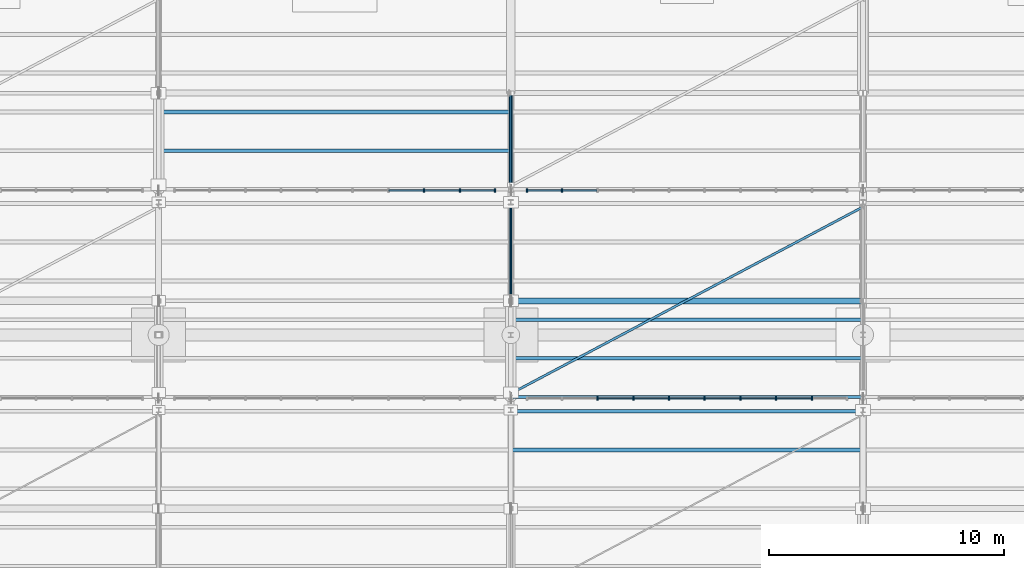
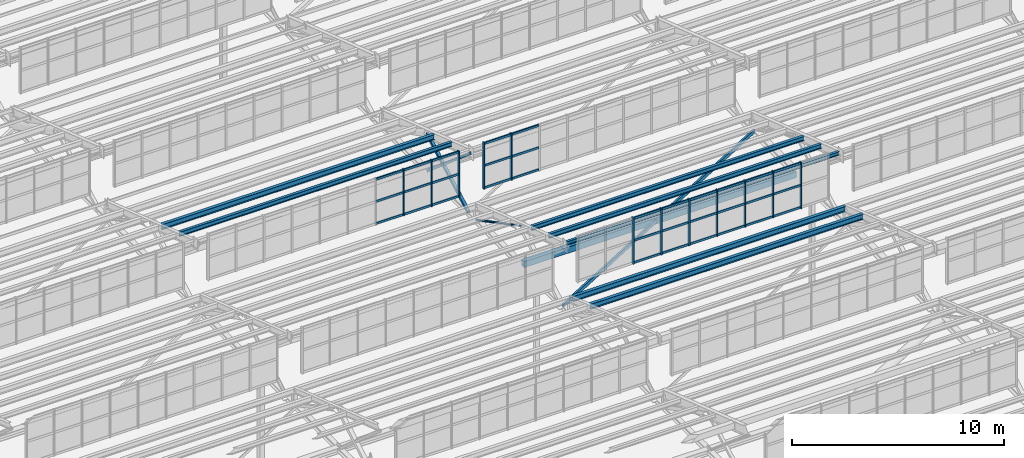
# One storey, part 59 of 285: 50 members, 7 beams, 3 elements without a shape of their own.
"""IFC4 building model written with IfcOpenShell, lengths in metres."""

from ifc_helpers import new_model, si_unit, direction, frame, origin, origin_2d, place, context, subcontext, project, spatial, rectangle, hollow_rectangle, hollow_circle, i_section, extrude, material, material_profile, profile_set, type_object, element, aggregate, save


model = new_model("IFC4")

# Units and contexts
model_context = context("Model", 3, precision=1e-05, world=origin(), true_north=direction((0.0, 1.0)))
body_context = subcontext(model_context, "Body", "Model", "MODEL_VIEW")
ifc_project = project(units=[si_unit("LENGTHUNIT", "METRE"), si_unit("AREAUNIT", "SQUARE_METRE"), si_unit("VOLUMEUNIT", "CUBIC_METRE"), si_unit("PLANEANGLEUNIT", "RADIAN"), si_unit("MASSUNIT", "GRAM", prefix="KILO")], contexts=[model_context])

# Site, building, storey
site_placement = place(None, origin())
site = spatial("IfcSite", under=ifc_project, at=site_placement, CompositionType="ELEMENT")
building_placement = place(site_placement, origin())
building = spatial("IfcBuilding", under=site, at=building_placement, Name="Solanera Park Tramway Depot", CompositionType="ELEMENT")
storey_placement = place(building_placement, origin())
storey = spatial("IfcBuildingStorey", under=building, at=storey_placement, Name="L00", CompositionType="ELEMENT", Elevation=0.0)

# Curtain wall, members
ifc_material_1 = material(Name="Bronze-anodised thermally broken aluminium curtain wall", Category="aluminium")
curtain_wall_type = type_object("IfcCurtainWallType", Name="Sawtooth Clerestory Monitor Curtain Wall", PredefinedType="NOTDEFINED", material=ifc_material_1)
curtain_wall_1_placement = place(storey_placement, origin())
curtain_wall_1 = element("IfcCurtainWall", 1, at=curtain_wall_1_placement, inside=storey, type_object=curtain_wall_type, Name="L00 Sawtooth Clerestory Monitor Curtain Wall #022", PredefinedType="NOTDEFINED")
ifc_material_2 = material(Name="Bronze-anodised structural aluminium 6063-T6", Category="aluminium")
ifc_material_profile_1 = material_profile(ifc_material_2, rectangle(XDim=0.06494140625, YDim=0.14990234375, at=origin_2d()), Name="Curtain Wall Mullion 65x150")
ifc_profile_set_1 = profile_set([ifc_material_profile_1], Name="Bronze-anodised structural aluminium 6063-T6")
member_type_1 = type_object("IfcMemberType", Name="Curtain Wall Mullion 65x150", PredefinedType="MULLION", material=ifc_profile_set_1)
member_1_placement = place(storey_placement, frame((48.6943359375, 82.300048828125, 7.75), z_axis=(0.0, 0.0, 1.0), x_axis=(1.0, 0.0, 0.0)))
member_1 = element("IfcMember", 2, at=member_1_placement, type_object=member_type_1, Name="CW-L00-022 Mullion 3", PredefinedType="MULLION", context=body_context, shape_type="SweptSolid", body=[
    extrude(rectangle(XDim=0.06494140625, YDim=0.14990234375, at=origin_2d()), origin(), (0.0, 0.0, 1.0), 2.6611328125),
])
member_2_placement = place(storey_placement, frame((50.216796875, 82.300048828125, 7.75), z_axis=(0.0, 0.0, 1.0), x_axis=(1.0, 0.0, 0.0)))
member_2 = element("IfcMember", 3, at=member_2_placement, type_object=member_type_1, Name="CW-L00-022 Mullion 4", PredefinedType="MULLION", context=body_context, shape_type="SweptSolid", body=[
    extrude(rectangle(XDim=0.06494140625, YDim=0.14990234375, at=origin_2d()), origin(), (0.0, 0.0, 1.0), 2.6611328125),
])
member_3_placement = place(storey_placement, frame((51.739013671875, 82.300048828125, 7.75), z_axis=(0.0, 0.0, 1.0), x_axis=(1.0, 0.0, 0.0)))
member_3 = element("IfcMember", 4, at=member_3_placement, type_object=member_type_1, Name="CW-L00-022 Mullion 5", PredefinedType="MULLION", context=body_context, shape_type="SweptSolid", body=[
    extrude(rectangle(XDim=0.06494140625, YDim=0.14990234375, at=origin_2d()), origin(), (0.0, 0.0, 1.0), 2.6611328125),
])
member_4_placement = place(storey_placement, frame((53.260986328125, 82.300048828125, 7.75), z_axis=(0.0, 0.0, 1.0), x_axis=(1.0, 0.0, 0.0)))
member_4 = element("IfcMember", 5, at=member_4_placement, type_object=member_type_1, Name="CW-L00-022 Mullion 6", PredefinedType="MULLION", context=body_context, shape_type="SweptSolid", body=[
    extrude(rectangle(XDim=0.06494140625, YDim=0.14990234375, at=origin_2d()), origin(), (0.0, 0.0, 1.0), 2.6611328125),
])
member_5_placement = place(storey_placement, frame((54.783203125, 82.300048828125, 7.75), z_axis=(0.0, 0.0, 1.0), x_axis=(1.0, 0.0, 0.0)))
member_5 = element("IfcMember", 6, at=member_5_placement, type_object=member_type_1, Name="CW-L00-022 Mullion 7", PredefinedType="MULLION", context=body_context, shape_type="SweptSolid", body=[
    extrude(rectangle(XDim=0.06494140625, YDim=0.14990234375, at=origin_2d()), origin(), (0.0, 0.0, 1.0), 2.6611328125),
])
member_6_placement = place(storey_placement, frame((56.3056640625, 82.300048828125, 7.75), z_axis=(0.0, 0.0, 1.0), x_axis=(1.0, 0.0, 0.0)))
member_6 = element("IfcMember", 7, at=member_6_placement, type_object=member_type_1, Name="CW-L00-022 Mullion 8", PredefinedType="MULLION", context=body_context, shape_type="SweptSolid", body=[
    extrude(rectangle(XDim=0.06494140625, YDim=0.14990234375, at=origin_2d()), origin(), (0.0, 0.0, 1.0), 2.6611328125),
])
member_7_placement = place(storey_placement, frame((57.827880859375, 82.300048828125, 7.75), z_axis=(0.0, 0.0, 1.0), x_axis=(1.0, 0.0, 0.0)))
member_7 = element("IfcMember", 8, at=member_7_placement, type_object=member_type_1, Name="CW-L00-022 Mullion 9", PredefinedType="MULLION", context=body_context, shape_type="SweptSolid", body=[
    extrude(rectangle(XDim=0.06494140625, YDim=0.14990234375, at=origin_2d()), origin(), (0.0, 0.0, 1.0), 2.6611328125),
])

curtain_wall_2_placement = place(storey_placement, origin())
curtain_wall_2 = element("IfcCurtainWall", 9, at=curtain_wall_2_placement, inside=storey, type_object=curtain_wall_type, Name="L00 Sawtooth Clerestory Monitor Curtain Wall #029", PredefinedType="NOTDEFINED")
member_8_placement = place(storey_placement, frame((41.3056640625, 91.14990234375, 7.75), z_axis=(0.0, 0.0, 1.0), x_axis=(1.0, 0.0, 0.0)))
member_8 = element("IfcMember", 10, at=member_8_placement, type_object=member_type_1, Name="CW-L00-029 Mullion 8", PredefinedType="MULLION", context=body_context, shape_type="SweptSolid", body=[
    extrude(rectangle(XDim=0.06494140625, YDim=0.14990234375, at=origin_2d()), origin(), (0.0, 0.0, 1.0), 2.6611328125),
])
member_9_placement = place(storey_placement, frame((42.827880859375, 91.14990234375, 7.75), z_axis=(0.0, 0.0, 1.0), x_axis=(1.0, 0.0, 0.0)))
member_9 = element("IfcMember", 11, at=member_9_placement, type_object=member_type_1, Name="CW-L00-029 Mullion 9", PredefinedType="MULLION", context=body_context, shape_type="SweptSolid", body=[
    extrude(rectangle(XDim=0.06494140625, YDim=0.14990234375, at=origin_2d()), origin(), (0.0, 0.0, 1.0), 2.6611328125),
])
member_10_placement = place(storey_placement, frame((44.3173828125, 91.14990234375, 7.75), z_axis=(0.0, 0.0, 1.0), x_axis=(1.0, 0.0, 0.0)))
member_10 = element("IfcMember", 12, at=member_10_placement, type_object=member_type_1, Name="CW-L00-029 Mullion 10", PredefinedType="MULLION", context=body_context, shape_type="SweptSolid", body=[
    extrude(rectangle(XDim=0.06494140625, YDim=0.14990234375, at=origin_2d()), origin(), (0.0, 0.0, 1.0), 2.6611328125),
])

curtain_wall_3_placement = place(storey_placement, origin())
curtain_wall_3 = element("IfcCurtainWall", 13, at=curtain_wall_3_placement, inside=storey, type_object=curtain_wall_type, Name="L00 Sawtooth Clerestory Monitor Curtain Wall #030", PredefinedType="NOTDEFINED")
member_11_placement = place(storey_placement, frame((45.6826171875, 91.14990234375, 7.75), z_axis=(0.0, 0.0, 1.0), x_axis=(1.0, 0.0, 0.0)))
member_11 = element("IfcMember", 14, at=member_11_placement, type_object=member_type_1, Name="CW-L00-030 Mullion 1", PredefinedType="MULLION", context=body_context, shape_type="SweptSolid", body=[
    extrude(rectangle(XDim=0.06494140625, YDim=0.14990234375, at=origin_2d()), origin(), (0.0, 0.0, 1.0), 2.6611328125),
])
member_12_placement = place(storey_placement, frame((47.172119140625, 91.14990234375, 7.75), z_axis=(0.0, 0.0, 1.0), x_axis=(1.0, 0.0, 0.0)))
member_12 = element("IfcMember", 15, at=member_12_placement, type_object=member_type_1, Name="CW-L00-030 Mullion 2", PredefinedType="MULLION", context=body_context, shape_type="SweptSolid", body=[
    extrude(rectangle(XDim=0.06494140625, YDim=0.14990234375, at=origin_2d()), origin(), (0.0, 0.0, 1.0), 2.6611328125),
])

# Member
ifc_material_3 = material(Name="Bronze-anodised structural aluminium 6063-T6", Category="aluminium")
ifc_material_profile_2 = material_profile(ifc_material_3, rectangle(XDim=0.06494140625, YDim=0.1201171875, at=origin_2d()), Name="Curtain Wall Transom 65x120")
ifc_profile_set_2 = profile_set([ifc_material_profile_2], Name="Bronze-anodised structural aluminium 6063-T6")
member_type_2 = type_object("IfcMemberType", Name="Curtain Wall Transom 65x120", PredefinedType="USERDEFINED", material=ifc_profile_set_2)
member_13_placement = place(storey_placement, frame((48.722412109375, 82.300048828125, 7.81005859375), z_axis=(1.0, 0.0, 0.0), x_axis=(0.0, 1.0, 0.0)))
member_13 = element("IfcMember", 16, at=member_13_placement, type_object=member_type_2, Name="CW-L00-022 Transom R1.C3", ObjectType="TRANSOM", PredefinedType="USERDEFINED", context=body_context, shape_type="SweptSolid", body=[
    extrude(rectangle(XDim=0.06494140625, YDim=0.1201171875, at=origin_2d()), origin(), (0.0, 0.0, 1.0), 1.46630859375),
])

member_14_placement = place(storey_placement, frame((50.24462890625, 82.300048828125, 7.81005859375), z_axis=(1.0, 0.0, 0.0), x_axis=(0.0, 1.0, 0.0)))
member_14 = element("IfcMember", 17, at=member_14_placement, type_object=member_type_2, Name="CW-L00-022 Transom R1.C4", ObjectType="TRANSOM", PredefinedType="USERDEFINED", context=body_context, shape_type="SweptSolid", body=[
    extrude(rectangle(XDim=0.06494140625, YDim=0.1201171875, at=origin_2d()), origin(), (0.0, 0.0, 1.0), 1.46630859375),
])

member_15_placement = place(storey_placement, frame((51.766845703125, 82.300048828125, 7.81005859375), z_axis=(1.0, 0.0, 0.0), x_axis=(0.0, 1.0, 0.0)))
member_15 = element("IfcMember", 18, at=member_15_placement, type_object=member_type_2, Name="CW-L00-022 Transom R1.C5", ObjectType="TRANSOM", PredefinedType="USERDEFINED", context=body_context, shape_type="SweptSolid", body=[
    extrude(rectangle(XDim=0.06494140625, YDim=0.1201171875, at=origin_2d()), origin(), (0.0, 0.0, 1.0), 1.46630859375),
])

member_16_placement = place(storey_placement, frame((53.2890625, 82.300048828125, 7.81005859375), z_axis=(1.0, 0.0, 0.0), x_axis=(0.0, 1.0, 0.0)))
member_16 = element("IfcMember", 19, at=member_16_placement, type_object=member_type_2, Name="CW-L00-022 Transom R1.C6", ObjectType="TRANSOM", PredefinedType="USERDEFINED", context=body_context, shape_type="SweptSolid", body=[
    extrude(rectangle(XDim=0.06494140625, YDim=0.1201171875, at=origin_2d()), origin(), (0.0, 0.0, 1.0), 1.46630859375),
])

member_17_placement = place(storey_placement, frame((54.811279296875, 82.300048828125, 7.81005859375), z_axis=(1.0, 0.0, 0.0), x_axis=(0.0, 1.0, 0.0)))
member_17 = element("IfcMember", 20, at=member_17_placement, type_object=member_type_2, Name="CW-L00-022 Transom R1.C7", ObjectType="TRANSOM", PredefinedType="USERDEFINED", context=body_context, shape_type="SweptSolid", body=[
    extrude(rectangle(XDim=0.06494140625, YDim=0.1201171875, at=origin_2d()), origin(), (0.0, 0.0, 1.0), 1.46630859375),
])

member_18_placement = place(storey_placement, frame((56.33349609375, 82.300048828125, 7.81005859375), z_axis=(1.0, 0.0, 0.0), x_axis=(0.0, 1.0, 0.0)))
member_18 = element("IfcMember", 21, at=member_18_placement, type_object=member_type_2, Name="CW-L00-022 Transom R1.C8", ObjectType="TRANSOM", PredefinedType="USERDEFINED", context=body_context, shape_type="SweptSolid", body=[
    extrude(rectangle(XDim=0.06494140625, YDim=0.1201171875, at=origin_2d()), origin(), (0.0, 0.0, 1.0), 1.46630859375),
])

member_19_placement = place(storey_placement, frame((48.722412109375, 82.300048828125, 9.08056640625), z_axis=(1.0, 0.0, 0.0), x_axis=(0.0, 1.0, 0.0)))
member_19 = element("IfcMember", 22, at=member_19_placement, type_object=member_type_2, Name="CW-L00-022 Transom R2.C3", ObjectType="TRANSOM", PredefinedType="USERDEFINED", context=body_context, shape_type="SweptSolid", body=[
    extrude(rectangle(XDim=0.06494140625, YDim=0.1201171875, at=origin_2d()), origin(), (0.0, 0.0, 1.0), 1.46630859375),
])

member_20_placement = place(storey_placement, frame((50.24462890625, 82.300048828125, 9.08056640625), z_axis=(1.0, 0.0, 0.0), x_axis=(0.0, 1.0, 0.0)))
member_20 = element("IfcMember", 23, at=member_20_placement, type_object=member_type_2, Name="CW-L00-022 Transom R2.C4", ObjectType="TRANSOM", PredefinedType="USERDEFINED", context=body_context, shape_type="SweptSolid", body=[
    extrude(rectangle(XDim=0.06494140625, YDim=0.1201171875, at=origin_2d()), origin(), (0.0, 0.0, 1.0), 1.46630859375),
])

member_21_placement = place(storey_placement, frame((51.766845703125, 82.300048828125, 9.08056640625), z_axis=(1.0, 0.0, 0.0), x_axis=(0.0, 1.0, 0.0)))
member_21 = element("IfcMember", 24, at=member_21_placement, type_object=member_type_2, Name="CW-L00-022 Transom R2.C5", ObjectType="TRANSOM", PredefinedType="USERDEFINED", context=body_context, shape_type="SweptSolid", body=[
    extrude(rectangle(XDim=0.06494140625, YDim=0.1201171875, at=origin_2d()), origin(), (0.0, 0.0, 1.0), 1.46630859375),
])

member_22_placement = place(storey_placement, frame((53.2890625, 82.300048828125, 9.08056640625), z_axis=(1.0, 0.0, 0.0), x_axis=(0.0, 1.0, 0.0)))
member_22 = element("IfcMember", 25, at=member_22_placement, type_object=member_type_2, Name="CW-L00-022 Transom R2.C6", ObjectType="TRANSOM", PredefinedType="USERDEFINED", context=body_context, shape_type="SweptSolid", body=[
    extrude(rectangle(XDim=0.06494140625, YDim=0.1201171875, at=origin_2d()), origin(), (0.0, 0.0, 1.0), 1.46630859375),
])

member_23_placement = place(storey_placement, frame((54.811279296875, 82.300048828125, 9.08056640625), z_axis=(1.0, 0.0, 0.0), x_axis=(0.0, 1.0, 0.0)))
member_23 = element("IfcMember", 26, at=member_23_placement, type_object=member_type_2, Name="CW-L00-022 Transom R2.C7", ObjectType="TRANSOM", PredefinedType="USERDEFINED", context=body_context, shape_type="SweptSolid", body=[
    extrude(rectangle(XDim=0.06494140625, YDim=0.1201171875, at=origin_2d()), origin(), (0.0, 0.0, 1.0), 1.46630859375),
])

member_24_placement = place(storey_placement, frame((56.33349609375, 82.300048828125, 9.08056640625), z_axis=(1.0, 0.0, 0.0), x_axis=(0.0, 1.0, 0.0)))
member_24 = element("IfcMember", 27, at=member_24_placement, type_object=member_type_2, Name="CW-L00-022 Transom R2.C8", ObjectType="TRANSOM", PredefinedType="USERDEFINED", context=body_context, shape_type="SweptSolid", body=[
    extrude(rectangle(XDim=0.06494140625, YDim=0.1201171875, at=origin_2d()), origin(), (0.0, 0.0, 1.0), 1.46630859375),
])

member_25_placement = place(storey_placement, frame((48.722412109375, 82.300048828125, 10.351318359375), z_axis=(1.0, 0.0, 0.0), x_axis=(0.0, 1.0, 0.0)))
member_25 = element("IfcMember", 28, at=member_25_placement, type_object=member_type_2, Name="CW-L00-022 Transom R3.C3", ObjectType="TRANSOM", PredefinedType="USERDEFINED", context=body_context, shape_type="SweptSolid", body=[
    extrude(rectangle(XDim=0.06494140625, YDim=0.1201171875, at=origin_2d()), origin(), (0.0, 0.0, 1.0), 1.46630859375),
])

member_26_placement = place(storey_placement, frame((50.24462890625, 82.300048828125, 10.351318359375), z_axis=(1.0, 0.0, 0.0), x_axis=(0.0, 1.0, 0.0)))
member_26 = element("IfcMember", 29, at=member_26_placement, type_object=member_type_2, Name="CW-L00-022 Transom R3.C4", ObjectType="TRANSOM", PredefinedType="USERDEFINED", context=body_context, shape_type="SweptSolid", body=[
    extrude(rectangle(XDim=0.06494140625, YDim=0.1201171875, at=origin_2d()), origin(), (0.0, 0.0, 1.0), 1.46630859375),
])

member_27_placement = place(storey_placement, frame((51.766845703125, 82.300048828125, 10.351318359375), z_axis=(1.0, 0.0, 0.0), x_axis=(0.0, 1.0, 0.0)))
member_27 = element("IfcMember", 30, at=member_27_placement, type_object=member_type_2, Name="CW-L00-022 Transom R3.C5", ObjectType="TRANSOM", PredefinedType="USERDEFINED", context=body_context, shape_type="SweptSolid", body=[
    extrude(rectangle(XDim=0.06494140625, YDim=0.1201171875, at=origin_2d()), origin(), (0.0, 0.0, 1.0), 1.46630859375),
])

member_28_placement = place(storey_placement, frame((53.2890625, 82.300048828125, 10.351318359375), z_axis=(1.0, 0.0, 0.0), x_axis=(0.0, 1.0, 0.0)))
member_28 = element("IfcMember", 31, at=member_28_placement, type_object=member_type_2, Name="CW-L00-022 Transom R3.C6", ObjectType="TRANSOM", PredefinedType="USERDEFINED", context=body_context, shape_type="SweptSolid", body=[
    extrude(rectangle(XDim=0.06494140625, YDim=0.1201171875, at=origin_2d()), origin(), (0.0, 0.0, 1.0), 1.46630859375),
])

member_29_placement = place(storey_placement, frame((54.811279296875, 82.300048828125, 10.351318359375), z_axis=(1.0, 0.0, 0.0), x_axis=(0.0, 1.0, 0.0)))
member_29 = element("IfcMember", 32, at=member_29_placement, type_object=member_type_2, Name="CW-L00-022 Transom R3.C7", ObjectType="TRANSOM", PredefinedType="USERDEFINED", context=body_context, shape_type="SweptSolid", body=[
    extrude(rectangle(XDim=0.06494140625, YDim=0.1201171875, at=origin_2d()), origin(), (0.0, 0.0, 1.0), 1.46630859375),
])

member_30_placement = place(storey_placement, frame((56.33349609375, 82.300048828125, 10.351318359375), z_axis=(1.0, 0.0, 0.0), x_axis=(0.0, 1.0, 0.0)))
member_30 = element("IfcMember", 33, at=member_30_placement, type_object=member_type_2, Name="CW-L00-022 Transom R3.C8", ObjectType="TRANSOM", PredefinedType="USERDEFINED", context=body_context, shape_type="SweptSolid", body=[
    extrude(rectangle(XDim=0.06494140625, YDim=0.1201171875, at=origin_2d()), origin(), (0.0, 0.0, 1.0), 1.46630859375),
])

aggregate(curtain_wall_1, [member_1, member_2, member_3, member_4, member_5, member_6, member_7, member_13, member_14, member_15, member_16, member_17, member_18, member_19, member_20, member_21, member_22, member_23, member_24, member_25, member_26, member_27, member_28, member_29, member_30])

member_31_placement = place(storey_placement, frame((39.811279296875, 91.14990234375, 7.81005859375), z_axis=(1.0, 0.0, 0.0), x_axis=(0.0, 1.0, 0.0)))
member_31 = element("IfcMember", 34, at=member_31_placement, type_object=member_type_2, Name="CW-L00-029 Transom R1.C7", ObjectType="TRANSOM", PredefinedType="USERDEFINED", context=body_context, shape_type="SweptSolid", body=[
    extrude(rectangle(XDim=0.06494140625, YDim=0.1201171875, at=origin_2d()), origin(), (0.0, 0.0, 1.0), 1.46630859375),
])

member_32_placement = place(storey_placement, frame((41.33349609375, 91.14990234375, 7.81005859375), z_axis=(1.0, 0.0, 0.0), x_axis=(0.0, 1.0, 0.0)))
member_32 = element("IfcMember", 35, at=member_32_placement, type_object=member_type_2, Name="CW-L00-029 Transom R1.C8", ObjectType="TRANSOM", PredefinedType="USERDEFINED", context=body_context, shape_type="SweptSolid", body=[
    extrude(rectangle(XDim=0.06494140625, YDim=0.1201171875, at=origin_2d()), origin(), (0.0, 0.0, 1.0), 1.46630859375),
])

member_33_placement = place(storey_placement, frame((42.855712890625, 91.14990234375, 7.81005859375), z_axis=(1.0, 0.0, 0.0), x_axis=(0.0, 1.0, 0.0)))
member_33 = element("IfcMember", 36, at=member_33_placement, type_object=member_type_2, Name="CW-L00-029 Transom R1.C9", ObjectType="TRANSOM", PredefinedType="USERDEFINED", context=body_context, shape_type="SweptSolid", body=[
    extrude(rectangle(XDim=0.06494140625, YDim=0.1201171875, at=origin_2d()), origin(), (0.0, 0.0, 1.0), 1.433837890625),
])

member_34_placement = place(storey_placement, frame((39.811279296875, 91.14990234375, 9.08056640625), z_axis=(1.0, 0.0, 0.0), x_axis=(0.0, 1.0, 0.0)))
member_34 = element("IfcMember", 37, at=member_34_placement, type_object=member_type_2, Name="CW-L00-029 Transom R2.C7", ObjectType="TRANSOM", PredefinedType="USERDEFINED", context=body_context, shape_type="SweptSolid", body=[
    extrude(rectangle(XDim=0.06494140625, YDim=0.1201171875, at=origin_2d()), origin(), (0.0, 0.0, 1.0), 1.46630859375),
])

member_35_placement = place(storey_placement, frame((41.33349609375, 91.14990234375, 9.08056640625), z_axis=(1.0, 0.0, 0.0), x_axis=(0.0, 1.0, 0.0)))
member_35 = element("IfcMember", 38, at=member_35_placement, type_object=member_type_2, Name="CW-L00-029 Transom R2.C8", ObjectType="TRANSOM", PredefinedType="USERDEFINED", context=body_context, shape_type="SweptSolid", body=[
    extrude(rectangle(XDim=0.06494140625, YDim=0.1201171875, at=origin_2d()), origin(), (0.0, 0.0, 1.0), 1.46630859375),
])

member_36_placement = place(storey_placement, frame((42.855712890625, 91.14990234375, 9.08056640625), z_axis=(1.0, 0.0, 0.0), x_axis=(0.0, 1.0, 0.0)))
member_36 = element("IfcMember", 39, at=member_36_placement, type_object=member_type_2, Name="CW-L00-029 Transom R2.C9", ObjectType="TRANSOM", PredefinedType="USERDEFINED", context=body_context, shape_type="SweptSolid", body=[
    extrude(rectangle(XDim=0.06494140625, YDim=0.1201171875, at=origin_2d()), origin(), (0.0, 0.0, 1.0), 1.433837890625),
])

member_37_placement = place(storey_placement, frame((39.811279296875, 91.14990234375, 10.351318359375), z_axis=(1.0, 0.0, 0.0), x_axis=(0.0, 1.0, 0.0)))
member_37 = element("IfcMember", 40, at=member_37_placement, type_object=member_type_2, Name="CW-L00-029 Transom R3.C7", ObjectType="TRANSOM", PredefinedType="USERDEFINED", context=body_context, shape_type="SweptSolid", body=[
    extrude(rectangle(XDim=0.06494140625, YDim=0.1201171875, at=origin_2d()), origin(), (0.0, 0.0, 1.0), 1.46630859375),
])

member_38_placement = place(storey_placement, frame((41.33349609375, 91.14990234375, 10.351318359375), z_axis=(1.0, 0.0, 0.0), x_axis=(0.0, 1.0, 0.0)))
member_38 = element("IfcMember", 41, at=member_38_placement, type_object=member_type_2, Name="CW-L00-029 Transom R3.C8", ObjectType="TRANSOM", PredefinedType="USERDEFINED", context=body_context, shape_type="SweptSolid", body=[
    extrude(rectangle(XDim=0.06494140625, YDim=0.1201171875, at=origin_2d()), origin(), (0.0, 0.0, 1.0), 1.46630859375),
])

member_39_placement = place(storey_placement, frame((42.855712890625, 91.14990234375, 10.351318359375), z_axis=(1.0, 0.0, 0.0), x_axis=(0.0, 1.0, 0.0)))
member_39 = element("IfcMember", 42, at=member_39_placement, type_object=member_type_2, Name="CW-L00-029 Transom R3.C9", ObjectType="TRANSOM", PredefinedType="USERDEFINED", context=body_context, shape_type="SweptSolid", body=[
    extrude(rectangle(XDim=0.06494140625, YDim=0.1201171875, at=origin_2d()), origin(), (0.0, 0.0, 1.0), 1.433837890625),
])

aggregate(curtain_wall_2, [member_8, member_9, member_10, member_31, member_32, member_33, member_34, member_35, member_36, member_37, member_38, member_39])

member_40_placement = place(storey_placement, frame((45.71044921875, 91.14990234375, 7.81005859375), z_axis=(1.0, 0.0, 0.0), x_axis=(0.0, 1.0, 0.0)))
member_40 = element("IfcMember", 43, at=member_40_placement, type_object=member_type_2, Name="CW-L00-030 Transom R1.C1", ObjectType="TRANSOM", PredefinedType="USERDEFINED", context=body_context, shape_type="SweptSolid", body=[
    extrude(rectangle(XDim=0.06494140625, YDim=0.1201171875, at=origin_2d()), origin(), (0.0, 0.0, 1.0), 1.433837890625),
])

member_41_placement = place(storey_placement, frame((47.2001953125, 91.14990234375, 7.81005859375), z_axis=(1.0, 0.0, 0.0), x_axis=(0.0, 1.0, 0.0)))
member_41 = element("IfcMember", 44, at=member_41_placement, type_object=member_type_2, Name="CW-L00-030 Transom R1.C2", ObjectType="TRANSOM", PredefinedType="USERDEFINED", context=body_context, shape_type="SweptSolid", body=[
    extrude(rectangle(XDim=0.06494140625, YDim=0.1201171875, at=origin_2d()), origin(), (0.0, 0.0, 1.0), 1.46630859375),
])

member_42_placement = place(storey_placement, frame((45.71044921875, 91.14990234375, 9.08056640625), z_axis=(1.0, 0.0, 0.0), x_axis=(0.0, 1.0, 0.0)))
member_42 = element("IfcMember", 45, at=member_42_placement, type_object=member_type_2, Name="CW-L00-030 Transom R2.C1", ObjectType="TRANSOM", PredefinedType="USERDEFINED", context=body_context, shape_type="SweptSolid", body=[
    extrude(rectangle(XDim=0.06494140625, YDim=0.1201171875, at=origin_2d()), origin(), (0.0, 0.0, 1.0), 1.433837890625),
])

member_43_placement = place(storey_placement, frame((47.2001953125, 91.14990234375, 9.08056640625), z_axis=(1.0, 0.0, 0.0), x_axis=(0.0, 1.0, 0.0)))
member_43 = element("IfcMember", 46, at=member_43_placement, type_object=member_type_2, Name="CW-L00-030 Transom R2.C2", ObjectType="TRANSOM", PredefinedType="USERDEFINED", context=body_context, shape_type="SweptSolid", body=[
    extrude(rectangle(XDim=0.06494140625, YDim=0.1201171875, at=origin_2d()), origin(), (0.0, 0.0, 1.0), 1.46630859375),
])

member_44_placement = place(storey_placement, frame((45.71044921875, 91.14990234375, 10.351318359375), z_axis=(1.0, 0.0, 0.0), x_axis=(0.0, 1.0, 0.0)))
member_44 = element("IfcMember", 47, at=member_44_placement, type_object=member_type_2, Name="CW-L00-030 Transom R3.C1", ObjectType="TRANSOM", PredefinedType="USERDEFINED", context=body_context, shape_type="SweptSolid", body=[
    extrude(rectangle(XDim=0.06494140625, YDim=0.1201171875, at=origin_2d()), origin(), (0.0, 0.0, 1.0), 1.433837890625),
])

member_45_placement = place(storey_placement, frame((47.2001953125, 91.14990234375, 10.351318359375), z_axis=(1.0, 0.0, 0.0), x_axis=(0.0, 1.0, 0.0)))
member_45 = element("IfcMember", 48, at=member_45_placement, type_object=member_type_2, Name="CW-L00-030 Transom R3.C2", ObjectType="TRANSOM", PredefinedType="USERDEFINED", context=body_context, shape_type="SweptSolid", body=[
    extrude(rectangle(XDim=0.06494140625, YDim=0.1201171875, at=origin_2d()), origin(), (0.0, 0.0, 1.0), 1.46630859375),
])

aggregate(curtain_wall_3, [member_11, member_12, member_40, member_41, member_42, member_43, member_44, member_45])

# Members
ifc_material_4 = material(Name="Steel AS/NZS 1163 Grade C350L0", Category="steel")
ifc_material_profile_3 = material_profile(ifc_material_4, hollow_rectangle(XDim=0.14990234375, YDim=0.14990234375, WallThickness=0.006103515625, at=origin_2d()), Name="150x150x6.0 SHS")
ifc_profile_set_3 = profile_set([ifc_material_profile_3], Name="Steel AS/NZS 1163 Grade C350L0")
member_type_3 = type_object("IfcMemberType", Name="Roof Gantry Compression Strut 150x150x6.0 SHS", PredefinedType="STRUT", material=ifc_profile_set_3)
member_46_placement = place(storey_placement, frame((45.0, 91.39990234375, 6.5), z_axis=(0.0, 0.874087581692, 0.485768359954), x_axis=(-1.0, 0.0, 0.0)))
element("IfcMember", 49, at=member_46_placement, inside=storey, type_object=member_type_3, Name="Sawtooth ROOF TRUSS Strut 150x150x6.0 SHS #0190", PredefinedType="STRUT", context=body_context, shape_type="SweptSolid", body=[
    extrude(hollow_rectangle(XDim=0.14990234375, YDim=0.14990234375, WallThickness=0.006103515625, at=origin_2d()), origin(), (0.0, 0.0, 1.0), 4.4619140625),
])
ifc_material_5 = material(Name="Steel AS/NZS 1163 Grade C350L0", Category="steel")
ifc_material_profile_4 = material_profile(ifc_material_5, hollow_rectangle(XDim=0.25, YDim=0.35009765625, WallThickness=0.010009765625, at=origin_2d()), Name="350x250x10.0 RHS")
ifc_profile_set_4 = profile_set([ifc_material_profile_4], Name="Steel AS/NZS 1163 Grade C350L0")
member_type_4 = type_object("IfcMemberType", Name="Secondary Truss Chord 350x250x10.0 RHS", PredefinedType="CHORD", material=ifc_profile_set_4)
member_47_placement = place(storey_placement, frame((45.087890625, 86.449951171875, 6.5), z_axis=(1.0, 0.0, 0.0), x_axis=(0.0, 1.0, 0.0)))
element("IfcMember", 50, at=member_47_placement, inside=storey, type_object=member_type_4, Name="Sawtooth Longitudinal Tie Chord 350x250x10.0 RHS #0169", PredefinedType="CHORD", context=body_context, shape_type="SweptSolid", body=[
    extrude(hollow_rectangle(XDim=0.25, YDim=0.35009765625, WallThickness=0.010009765625, at=origin_2d()), origin(), (0.0, 0.0, 1.0), 14.82421875),
])

# Beams
ifc_material_6 = material(Name="Steel AS/NZS 3679.1 Grade 350", Category="steel")
ifc_material_profile_5 = material_profile(ifc_material_6, i_section(OverallWidth=0.13330078125, OverallDepth=0.203125, WebThickness=0.005859375, FlangeThickness=0.0078125, at=origin_2d()), Name="200UB25.4")
ifc_profile_set_5 = profile_set([ifc_material_profile_5], Name="Steel AS/NZS 3679.1 Grade 350")
beam_type_1 = type_object("IfcBeamType", Name="Steel Joist Purlin 200UB25.4", PredefinedType="JOIST", material=ifc_profile_set_5)
beam_1_placement = place(storey_placement, frame((45.080810546875, 82.35009765625, 10.166259765625), z_axis=(1.0, 0.0, 0.0), x_axis=(0.0, 1.0, 0.0)))
element("IfcBeam", 51, at=beam_1_placement, inside=storey, type_object=beam_type_1, Name="Sawtooth Roof Purlin 200UB25.4 B04.1", PredefinedType="JOIST", context=body_context, shape_type="SweptSolid", body=[
    extrude(i_section(OverallWidth=0.13330078125, OverallDepth=0.203125, WebThickness=0.005859375, FlangeThickness=0.0078125, at=origin_2d()), origin(), (0.0, 0.0, 1.0), 14.83203125),
])
ifc_material_7 = material(Name="Steel AS/NZS 3679.1 Grade 350", Category="steel")
ifc_material_profile_6 = material_profile(ifc_material_7, i_section(OverallWidth=0.14599609375, OverallDepth=0.251708984375, WebThickness=0.006103515625, FlangeThickness=0.008544921875, at=origin_2d()), Name="250UB31.4")
ifc_profile_set_6 = profile_set([ifc_material_profile_6], Name="Steel AS/NZS 3679.1 Grade 350")
beam_type_2 = type_object("IfcBeamType", Name="Steel Joist Purlin 250UB31.4", PredefinedType="JOIST", material=ifc_profile_set_6)
beam_2_placement = place(storey_placement, frame((45.080810546875, 84.0, 9.587890625), z_axis=(1.0, 0.0, 0.0), x_axis=(0.0, 1.0, 0.0)))
element("IfcBeam", 52, at=beam_2_placement, inside=storey, type_object=beam_type_2, Name="Sawtooth Roof Purlin 250UB31.4 B04.2", PredefinedType="JOIST", context=body_context, shape_type="SweptSolid", body=[
    extrude(i_section(OverallWidth=0.14599609375, OverallDepth=0.251708984375, WebThickness=0.006103515625, FlangeThickness=0.008544921875, at=origin_2d()), origin(), (0.0, 0.0, 1.0), 14.83203125),
])
ifc_material_8 = material(Name="Steel AS/NZS 3679.1 Grade 350", Category="steel")
ifc_material_profile_7 = material_profile(ifc_material_8, i_section(OverallWidth=0.146484375, OverallDepth=0.256103515625, WebThickness=0.00634765625, FlangeThickness=0.010986328125, at=origin_2d()), Name="250UB37.3")
ifc_profile_set_7 = profile_set([ifc_material_profile_7], Name="Steel AS/NZS 3679.1 Grade 350")
beam_type_3 = type_object("IfcBeamType", Name="Steel Joist Purlin 250UB37.3", PredefinedType="JOIST", material=ifc_profile_set_7)
for number, where, z_axis, x_axis, name in (
    (53, (45.080810546875, 85.64990234375, 9.033203125), (1.0, 0.0, 0.0), (0.0, 1.0, 0.0), "Sawtooth Roof Purlin 250UB37.3 B04.3"),
    (54, (30.080810546875, 92.85009765625, 9.58544921875), (1.0, 0.0, 0.0), (0.0, 1.0, 0.0), "Sawtooth Roof Purlin 250UB37.3 B05.2"),
):
    element("IfcBeam", number, at=place(storey_placement, frame(where, z_axis=z_axis, x_axis=x_axis)), inside=storey, type_object=beam_type_3, Name=name, PredefinedType="JOIST", context=body_context, shape_type="SweptSolid", body=[
        extrude(i_section(OverallWidth=0.146484375, OverallDepth=0.256103515625, WebThickness=0.00634765625, FlangeThickness=0.010986328125, at=origin_2d()), origin(), (0.0, 0.0, 1.0), 14.83203125),
    ])
ifc_material_9 = material(Name="Steel AS/NZS 3679.1 Grade 350", Category="steel")
ifc_material_profile_8 = material_profile(ifc_material_9, i_section(OverallWidth=0.1650390625, OverallDepth=0.3037109375, WebThickness=0.006103515625, FlangeThickness=0.01025390625, at=origin_2d()), Name="310UB40.4")
ifc_profile_set_8 = profile_set([ifc_material_profile_8], Name="Steel AS/NZS 3679.1 Grade 350")
beam_type_4 = type_object("IfcBeamType", Name="Steel Joist Purlin 310UB40.4", PredefinedType="JOIST", material=ifc_profile_set_8)
beam_3_placement = place(storey_placement, frame((45.077880859375, 80.10009765625, 7.902099609375), z_axis=(1.0, 0.0, 0.0), x_axis=(0.0, 1.0, 0.0)))
element("IfcBeam", 55, at=beam_3_placement, inside=storey, type_object=beam_type_4, Name="Sawtooth Roof Purlin 310UB40.4 B03.5", PredefinedType="JOIST", context=body_context, shape_type="SweptSolid", body=[
    extrude(i_section(OverallWidth=0.1650390625, OverallDepth=0.3037109375, WebThickness=0.006103515625, FlangeThickness=0.01025390625, at=origin_2d()), origin(), (0.0, 0.0, 1.0), 14.84130859375),
])
beam_4_placement = place(storey_placement, frame((30.080810546875, 94.5, 9.00634765625), z_axis=(1.0, 0.0, 0.0), x_axis=(0.0, 1.0, 0.0)))
element("IfcBeam", 56, at=beam_4_placement, inside=storey, type_object=beam_type_4, Name="Sawtooth Roof Purlin 310UB40.4 B05.3", PredefinedType="JOIST", context=body_context, shape_type="SweptSolid", body=[
    extrude(i_section(OverallWidth=0.1650390625, OverallDepth=0.3037109375, WebThickness=0.006103515625, FlangeThickness=0.01025390625, at=origin_2d()), origin(), (0.0, 0.0, 1.0), 14.83203125),
])
ifc_material_10 = material(Name="Steel AS/NZS 3679.1 Grade 350", Category="steel")
ifc_material_profile_9 = material_profile(ifc_material_10, i_section(OverallWidth=0.166015625, OverallDepth=0.30712890625, WebThickness=0.006591796875, FlangeThickness=0.01171875, at=origin_2d()), Name="310UB46.2")
ifc_profile_set_9 = profile_set([ifc_material_profile_9], Name="Steel AS/NZS 3679.1 Grade 350")
beam_type_5 = type_object("IfcBeamType", Name="Steel Joist Purlin 310UB46.2", PredefinedType="JOIST", material=ifc_profile_set_9)
beam_5_placement = place(storey_placement, frame((45.077880859375, 81.75, 7.348388671875), z_axis=(1.0, 0.0, 0.0), x_axis=(0.0, 1.0, 0.0)))
element("IfcBeam", 57, at=beam_5_placement, inside=storey, type_object=beam_type_5, Name="Sawtooth Roof Purlin 310UB46.2 B03.6", PredefinedType="JOIST", context=body_context, shape_type="SweptSolid", body=[
    extrude(i_section(OverallWidth=0.166015625, OverallDepth=0.30712890625, WebThickness=0.006591796875, FlangeThickness=0.01171875, at=origin_2d()), origin(), (0.0, 0.0, 1.0), 14.84130859375),
])

# Members
ifc_material_11 = material(Name="Steel AS/NZS 1163 Grade C350L0", Category="steel")
ifc_material_profile_10 = material_profile(ifc_material_11, hollow_circle(Radius=0.05712890625, WallThickness=0.0048828125, at=origin_2d()), Name="114.3x4.8 CHS")
ifc_profile_set_10 = profile_set([ifc_material_profile_10], Name="Steel AS/NZS 1163 Grade C350L0")
member_type_5 = type_object("IfcMemberType", Name="Truss and Frame Brace 114.3x4.8 CHS", PredefinedType="BRACE", material=ifc_profile_set_10)
member_48_placement = place(storey_placement, frame((45.0, 90.64990234375, 6.5), z_axis=(0.0, -0.886425847493, 0.462870626521), x_axis=(1.0, 0.0, 0.0)))
element("IfcMember", 58, at=member_48_placement, inside=storey, type_object=member_type_5, Name="Sawtooth ROOF TRUSS Diagonal 114.3x4.8 CHS #0142", PredefinedType="BRACE", context=body_context, shape_type="SweptSolid", body=[
    extrude(hollow_circle(Radius=0.05712890625, WallThickness=0.0048828125, at=origin_2d()), origin(), (0.0, 0.0, 1.0), 4.738037109375),
])
ifc_material_12 = material(Name="Steel AS/NZS 1163 Grade C350L0", Category="steel")
ifc_material_profile_11 = material_profile(ifc_material_12, hollow_rectangle(XDim=0.050048828125, YDim=0.14990234375, WallThickness=0.0048828125, at=origin_2d()), Name="150x50x5.0 RHS")
ifc_profile_set_11 = profile_set([ifc_material_profile_11], Name="Steel AS/NZS 1163 Grade C350L0")
member_type_6 = type_object("IfcMemberType", Name="Truss and Frame Brace 150x50x5.0 RHS", PredefinedType="BRACE", material=ifc_profile_set_11)
member_49_placement = place(storey_placement, frame((45.0, 95.300048828125, 6.5), z_axis=(0.0, -0.759357496503, 0.650673645159), x_axis=(1.0, 0.0, 0.0)))
element("IfcMember", 59, at=member_49_placement, inside=storey, type_object=member_type_6, Name="Sawtooth ROOF TRUSS Web Brace 150x50x5.0 RHS #0188", PredefinedType="BRACE", context=body_context, shape_type="SweptSolid", body=[
    extrude(hollow_rectangle(XDim=0.050048828125, YDim=0.14990234375, WallThickness=0.0048828125, at=origin_2d()), origin(), (0.0, 0.0, 1.0), 5.46533203125),
])
ifc_material_13 = material(Name="Steel AS/NZS 1163 Grade C350L0", Category="steel")
ifc_material_profile_12 = material_profile(ifc_material_13, hollow_rectangle(XDim=0.10009765625, YDim=0.199951171875, WallThickness=0.006103515625, at=origin_2d()), Name="200x100x6.0 RHS")
ifc_profile_set_12 = profile_set([ifc_material_profile_12], Name="Steel AS/NZS 1163 Grade C350L0")
member_type_7 = type_object("IfcMemberType", Name="Truss and Frame Brace 200x100x6.0 RHS", PredefinedType="BRACE", material=ifc_profile_set_12)
member_50_placement = place(storey_placement, frame((45.001953125, 82.5, 6.5), z_axis=(0.883523615038, 0.468386615598, 0.0), x_axis=(-0.468386615598, 0.883523615038, 0.0)))
element("IfcMember", 60, at=member_50_placement, inside=storey, type_object=member_type_7, Name="Roof Plane Cyclonic Brace 200x100x6.0 RHS #0170", PredefinedType="BRACE", context=body_context, shape_type="SweptSolid", body=[
    extrude(hollow_rectangle(XDim=0.10009765625, YDim=0.199951171875, WallThickness=0.006103515625, at=origin_2d()), origin(), (0.0, 0.0, 1.0), 16.97314453125),
])

save(model, "model.ifc")
